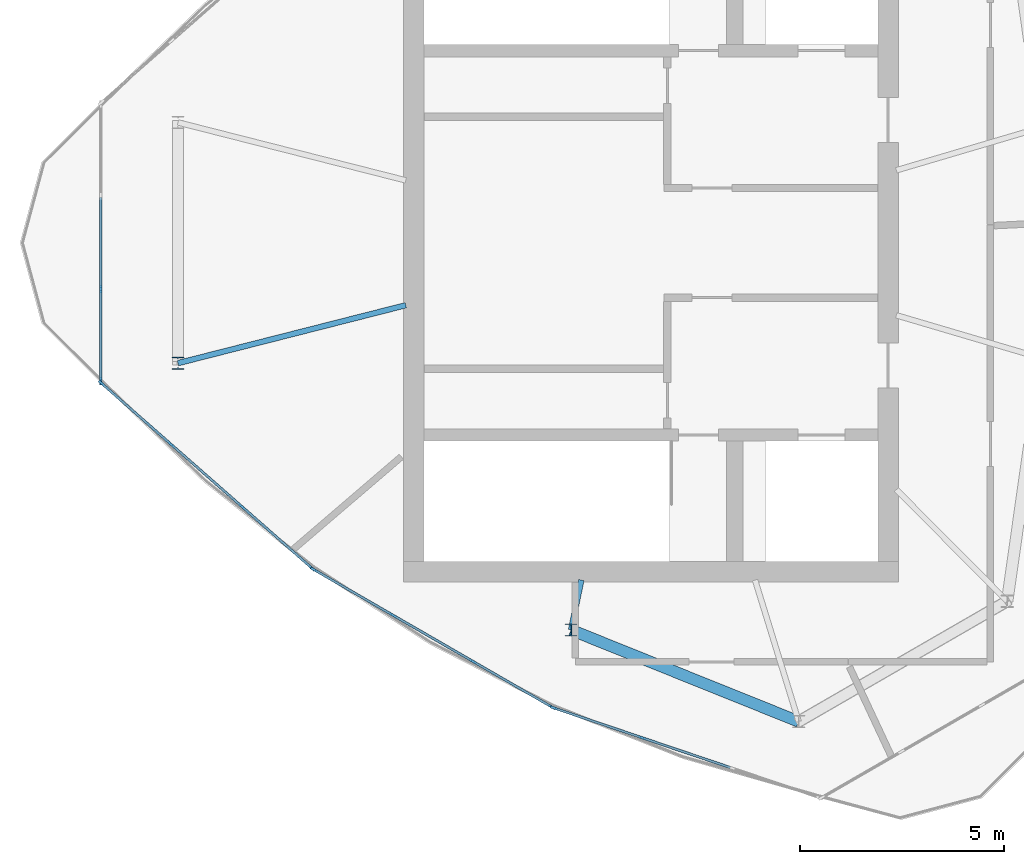
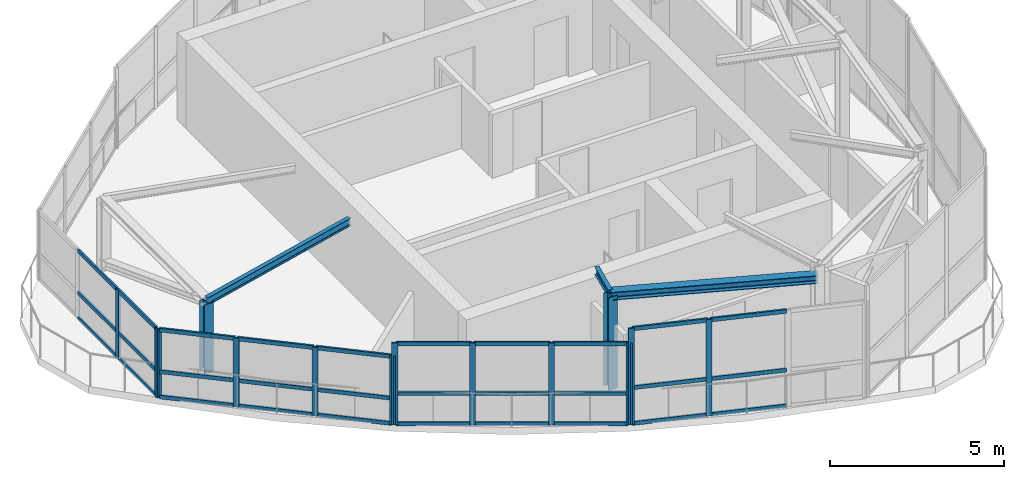
# One storey, part 1 of 9: 47 members, 4 elements without a shape of their own.
"""IFC4 building model written with IfcOpenShell, lengths in metres."""

from ifc_helpers import new_model, si_unit, direction, frame, origin, origin_2d, place, context, subcontext, project, spatial, rectangle, i_section, extrude, source, transform, mapped, material, layer, layer_set, material_profile, profile_set, type_object, element, aggregate, save


model = new_model("IFC4")

# Units and contexts
model_context = context("Model", 3, precision=1e-05, world=origin(), true_north=direction((0.0, 1.0)))
body_context = subcontext(model_context, "Body", "Model", "MODEL_VIEW")
ifc_project = project(units=[si_unit("LENGTHUNIT", "METRE"), si_unit("AREAUNIT", "SQUARE_METRE"), si_unit("VOLUMEUNIT", "CUBIC_METRE"), si_unit("PLANEANGLEUNIT", "RADIAN"), si_unit("MASSUNIT", "GRAM", prefix="KILO")], contexts=[model_context])

# Site, building, storey
site_placement = place(None, origin())
site = spatial("IfcSite", under=ifc_project, at=site_placement, CompositionType="ELEMENT")
building_placement = place(site_placement, origin())
building = spatial("IfcBuilding", under=site, at=building_placement, Name="Qafzar Sky-Pleat Residences", CompositionType="ELEMENT")
storey_placement = place(building_placement, frame((0.0, 0.0, 274.699951171875)))
storey = spatial("IfcBuildingStorey", under=building, at=storey_placement, Name="L81 Crown", CompositionType="ELEMENT", Elevation=274.699951171875)

# Members
ifc_material_1 = material(Name="Steel S355", Category="steel")
ifc_material_profile_1 = material_profile(ifc_material_1, i_section(OverallWidth=0.280029296875, OverallDepth=0.280029296875, WebThickness=0.010498046875, FlangeThickness=0.01806640625, FilletRadius=0.02392578125, at=origin_2d()), Name="HEB 280")
ifc_profile_set_1 = profile_set([ifc_material_profile_1], Name="Steel S355")
member_type_1 = type_object("IfcMemberType", Name="MEM-CROWN-RING", PredefinedType="PURLIN", material=ifc_profile_set_1)
shared_shape_1 = source(origin(), body_context, "Body", "SweptSolid", [
    extrude(i_section(OverallWidth=0.280029296875, OverallDepth=0.280029296875, WebThickness=0.010498046875, FlangeThickness=0.01806640625, FilletRadius=0.02392578125, at=origin_2d()), origin(), (0.0, 0.0, 1.0), 6.00244140625),
])
member_1_placement = place(storey_placement, frame((28.392578125, 16.52978515625, 3.259765625), z_axis=(0.927725846294, -0.373262312747, 0.0), x_axis=(0.373262312747, 0.927725846294, 0.0)))
element("IfcMember", 1, at=member_1_placement, inside=storey, type_object=member_type_1, Name="L81 Crown CROWN FRAME Ring Beam 4", PredefinedType="PURLIN", context=body_context, shape_type="MappedRepresentation", body=[
    mapped(shared_shape_1, transform((0.0, 0.0, 0.0), x_axis=(1.0, 0.0, 0.0), y_axis=(0.0, 1.0, 0.0), z_axis=(0.0, 0.0, 1.0), scale=1.0)),
])
ifc_material_2 = material(Name="Steel S460", Category="steel")
ifc_material_profile_2 = material_profile(ifc_material_2, i_section(OverallWidth=0.300048828125, OverallDepth=0.300048828125, WebThickness=0.010986328125, FlangeThickness=0.01904296875, FilletRadius=0.027099609375, at=origin_2d()), Name="HEB 300")
ifc_profile_set_2 = profile_set([ifc_material_profile_2], Name="Steel S460")
member_type_2 = type_object("IfcMemberType", Name="MEM-CROWN-RIB", PredefinedType="CHORD", material=ifc_profile_set_2)
shared_shape_2 = source(origin(), body_context, "Body", "SweptSolid", [
    extrude(i_section(OverallWidth=0.300048828125, OverallDepth=0.300048828125, WebThickness=0.010986328125, FlangeThickness=0.01904296875, FilletRadius=0.027099609375, at=origin_2d()), origin(), (0.0, 0.0, 1.0), 2.408447265625),
])
member_2_placement = place(storey_placement, frame((18.77783203125, 23.0556640625, 0.0), z_axis=(0.0, 0.0, 1.0), x_axis=(1.0, 0.0, 0.0)))
element("IfcMember", 2, at=member_2_placement, inside=storey, type_object=member_type_2, Name="L81 Crown CROWN FRAME Inclined Rib 2", PredefinedType="CHORD", context=body_context, shape_type="MappedRepresentation", body=[
    mapped(shared_shape_2, transform((0.0, 0.0, 0.0), x_axis=(1.0, 0.0, 0.0), y_axis=(0.0, 1.0, 0.0), z_axis=(0.0, 0.0, 1.0), scale=1.0)),
])
ifc_material_profile_3 = material_profile(ifc_material_1, i_section(OverallWidth=0.135009765625, OverallDepth=0.27001953125, WebThickness=0.006591796875, FlangeThickness=0.01025390625, FilletRadius=0.014892578125, at=origin_2d()), Name="IPE 270")
ifc_profile_set_3 = profile_set([ifc_material_profile_3], Name="Steel S355")
member_type_3 = type_object("IfcMemberType", Name="MEM-CROWN-TRIM", PredefinedType="PURLIN", material=ifc_profile_set_3)
shared_shape_3 = source(origin(), body_context, "Body", "SweptSolid", [
    extrude(i_section(OverallWidth=0.135009765625, OverallDepth=0.27001953125, WebThickness=0.006591796875, FlangeThickness=0.01025390625, FilletRadius=0.014892578125, at=origin_2d()), origin(), (0.0, 0.0, 1.0), 5.749755859375),
])
member_3_placement = place(storey_placement, frame((18.77783203125, 23.0556640625, 2.423583984375), z_axis=(0.969125035515, 0.246569798512, 0.0), x_axis=(-0.246569798512, 0.969125035515, 0.0)))
element("IfcMember", 3, at=member_3_placement, inside=storey, type_object=member_type_3, Name="L81 Crown CROWN FRAME Radial Purlin 2", PredefinedType="PURLIN", context=body_context, shape_type="MappedRepresentation", body=[
    mapped(shared_shape_3, transform((0.0, 0.0, 0.0), x_axis=(1.0, 0.0, 0.0), y_axis=(0.0, 1.0, 0.0), z_axis=(0.0, 0.0, 1.0), scale=1.0)),
])
shared_shape_4 = source(origin(), body_context, "Body", "SweptSolid", [
    extrude(i_section(OverallWidth=0.300048828125, OverallDepth=0.300048828125, WebThickness=0.010986328125, FlangeThickness=0.01904296875, FilletRadius=0.027099609375, at=origin_2d()), origin(), (0.0, 0.0, 1.0), 3.249755859375),
])
member_4_placement = place(storey_placement, frame((28.392578125, 16.52978515625, 0.0), z_axis=(0.0, 0.0, 1.0), x_axis=(1.0, 0.0, 0.0)))
element("IfcMember", 4, at=member_4_placement, inside=storey, type_object=member_type_2, Name="L81 Crown CROWN FRAME Inclined Rib 4", PredefinedType="CHORD", context=body_context, shape_type="MappedRepresentation", body=[
    mapped(shared_shape_4, transform((0.0, 0.0, 0.0), x_axis=(1.0, 0.0, 0.0), y_axis=(0.0, 1.0, 0.0), z_axis=(0.0, 0.0, 1.0), scale=1.0)),
])
shared_shape_5 = source(origin(), body_context, "Body", "SweptSolid", [
    extrude(i_section(OverallWidth=0.135009765625, OverallDepth=0.27001953125, WebThickness=0.006591796875, FlangeThickness=0.01025390625, FilletRadius=0.014892578125, at=origin_2d()), origin(), (0.0, 0.0, 1.0), 1.24609375),
])
member_5_placement = place(storey_placement, frame((28.392578125, 16.52978515625, 3.2646484375), z_axis=(0.202404745782, 0.979301954907, 0.0), x_axis=(-0.979301954907, 0.202404745782, 0.0)))
element("IfcMember", 5, at=member_5_placement, inside=storey, type_object=member_type_3, Name="L81 Crown CROWN FRAME Radial Purlin 4", PredefinedType="PURLIN", context=body_context, shape_type="MappedRepresentation", body=[
    mapped(shared_shape_5, transform((0.0, 0.0, 0.0), x_axis=(1.0, 0.0, 0.0), y_axis=(0.0, 1.0, 0.0), z_axis=(0.0, 0.0, 1.0), scale=1.0)),
])

# Curtain wall, members
ifc_material_3 = material(Name="Anodised bronze aluminium framing", Category="aluminium")
ifc_layer = layer(ifc_material_3, 0.179931640625)
ifc_layer_set = layer_set([ifc_layer], Name="Anodised bronze aluminium framing")
curtain_wall_type = type_object("IfcCurtainWallType", Name="CW-SYS-06", PredefinedType="NOTDEFINED", material=ifc_layer_set)
curtain_wall_1_placement = place(storey_placement, origin())
curtain_wall_1 = element("IfcCurtainWall", 6, at=curtain_wall_1_placement, inside=storey, type_object=curtain_wall_type, Name="L81 Crown CW-06 Curtain Wall CW-CROWN-06-01", PredefinedType="NOTDEFINED")
ifc_material_4 = material(Name="Anodised bronze aluminium", Category="aluminium")
ifc_material_profile_4 = material_profile(ifc_material_4, rectangle(XDim=0.06005859375, YDim=0.179931640625, at=origin_2d()), Name="ALU MULLION 60x180")
ifc_profile_set_4 = profile_set([ifc_material_profile_4], Name="Anodised bronze aluminium")
member_type_4 = type_object("IfcMemberType", Name="CWM-06", PredefinedType="MULLION", material=ifc_profile_set_4)
shared_shape_6 = source(origin(), body_context, "Body", "SweptSolid", [
    extrude(rectangle(XDim=0.06005859375, YDim=0.179931640625, at=origin_2d()), origin(), (0.0, 0.0, 1.0), 2.403076171875),
])
member_6_placement = place(storey_placement, frame((16.885498046875, 24.861572265625, 0.0), z_axis=(0.0, 0.0, 1.0), x_axis=(1.0, 0.0, 0.0)))
member_6 = element("IfcMember", 7, at=member_6_placement, type_object=member_type_4, Name="CW-06 mullion 3", PredefinedType="MULLION", context=body_context, shape_type="MappedRepresentation", body=[
    mapped(shared_shape_6, transform((0.0, 0.0, 0.0), x_axis=(1.0, 0.0, 0.0), y_axis=(0.0, 1.0, 0.0), z_axis=(0.0, 0.0, 1.0), scale=1.0)),
])
member_7_placement = place(storey_placement, frame((16.885498046875, 22.614501953125, 0.0), z_axis=(0.0, 0.0, 1.0), x_axis=(1.0, 0.0, 0.0)))
member_7 = element("IfcMember", 8, at=member_7_placement, type_object=member_type_4, Name="CW-06 mullion 4", PredefinedType="MULLION", context=body_context, shape_type="MappedRepresentation", body=[
    mapped(shared_shape_6, transform((0.0, 0.0, 0.0), x_axis=(1.0, 0.0, 0.0), y_axis=(0.0, 1.0, 0.0), z_axis=(0.0, 0.0, 1.0), scale=1.0)),
])

curtain_wall_2_placement = place(storey_placement, origin())
curtain_wall_2 = element("IfcCurtainWall", 9, at=curtain_wall_2_placement, inside=storey, type_object=curtain_wall_type, Name="L81 Crown CW-06 Curtain Wall CW-CROWN-06-02", PredefinedType="NOTDEFINED")
member_8_placement = place(storey_placement, frame((16.908203125, 22.564697265625, 0.0), z_axis=(0.0, 0.0, 1.0), x_axis=(0.660137360136, 0.7511449033, 0.0)))
member_8 = element("IfcMember", 10, at=member_8_placement, type_object=member_type_4, Name="CW-06 mullion 1", PredefinedType="MULLION", context=body_context, shape_type="MappedRepresentation", body=[
    mapped(shared_shape_6, transform((0.0, 0.0, 0.0), x_axis=(1.0, 0.0, 0.0), y_axis=(0.0, 1.0, 0.0), z_axis=(0.0, 0.0, 1.0), scale=1.0)),
])
member_9_placement = place(storey_placement, frame((18.61669921875, 21.06298828125, 0.0), z_axis=(0.0, 0.0, 1.0), x_axis=(0.660137360136, 0.7511449033, 0.0)))
member_9 = element("IfcMember", 11, at=member_9_placement, type_object=member_type_4, Name="CW-06 mullion 2", PredefinedType="MULLION", context=body_context, shape_type="MappedRepresentation", body=[
    mapped(shared_shape_6, transform((0.0, 0.0, 0.0), x_axis=(1.0, 0.0, 0.0), y_axis=(0.0, 1.0, 0.0), z_axis=(0.0, 0.0, 1.0), scale=1.0)),
])
member_10_placement = place(storey_placement, frame((20.34765625, 19.541748046875, 0.0), z_axis=(0.0, 0.0, 1.0), x_axis=(0.660137360136, 0.7511449033, 0.0)))
member_10 = element("IfcMember", 12, at=member_10_placement, type_object=member_type_4, Name="CW-06 mullion 3", PredefinedType="MULLION", context=body_context, shape_type="MappedRepresentation", body=[
    mapped(shared_shape_6, transform((0.0, 0.0, 0.0), x_axis=(1.0, 0.0, 0.0), y_axis=(0.0, 1.0, 0.0), z_axis=(0.0, 0.0, 1.0), scale=1.0)),
])
member_11_placement = place(storey_placement, frame((22.05615234375, 18.040283203125, 0.0), z_axis=(0.0, 0.0, 1.0), x_axis=(0.660137360136, 0.7511449033, 0.0)))
member_11 = element("IfcMember", 13, at=member_11_placement, type_object=member_type_4, Name="CW-06 mullion 4", PredefinedType="MULLION", context=body_context, shape_type="MappedRepresentation", body=[
    mapped(shared_shape_6, transform((0.0, 0.0, 0.0), x_axis=(1.0, 0.0, 0.0), y_axis=(0.0, 1.0, 0.0), z_axis=(0.0, 0.0, 1.0), scale=1.0)),
])

# Member
ifc_material_profile_5 = material_profile(ifc_material_4, rectangle(XDim=0.06005859375, YDim=0.135009765625, at=origin_2d()), Name="ALU TRANSOM 60x135")
ifc_profile_set_5 = profile_set([ifc_material_profile_5], Name="Anodised bronze aluminium")
member_type_5 = type_object("IfcMemberType", Name="CWT-06", PredefinedType="USERDEFINED", material=ifc_profile_set_5)
shared_shape_7 = source(origin(), body_context, "Body", "SweptSolid", [
    extrude(rectangle(XDim=0.06005859375, YDim=0.135009765625, at=origin_2d()), origin(), (0.0, 0.0, 1.0), 2.187255859375),
])
member_12_placement = place(storey_placement, frame((16.885498046875, 24.83154296875, 0.030029296875), z_axis=(0.0, -1.0, 0.0), x_axis=(1.0, 0.0, 0.0)))
member_12 = element("IfcMember", 14, at=member_12_placement, type_object=member_type_5, Name="CW-06 transom 3.1", ObjectType="TRANSOM", PredefinedType="USERDEFINED", context=body_context, shape_type="MappedRepresentation", body=[
    mapped(shared_shape_7, transform((0.0, 0.0, 0.0), x_axis=(1.0, 0.0, 0.0), y_axis=(0.0, 1.0, 0.0), z_axis=(0.0, 0.0, 1.0), scale=1.0)),
])

member_13_placement = place(storey_placement, frame((16.885498046875, 24.83154296875, 0.9130859375), z_axis=(0.0, -1.0, 0.0), x_axis=(1.0, 0.0, 0.0)))
member_13 = element("IfcMember", 15, at=member_13_placement, type_object=member_type_5, Name="CW-06 transom 3.2", ObjectType="TRANSOM", PredefinedType="USERDEFINED", context=body_context, shape_type="MappedRepresentation", body=[
    mapped(shared_shape_7, transform((0.0, 0.0, 0.0), x_axis=(1.0, 0.0, 0.0), y_axis=(0.0, 1.0, 0.0), z_axis=(0.0, 0.0, 1.0), scale=1.0)),
])

member_14_placement = place(storey_placement, frame((16.885498046875, 24.83154296875, 2.373046875), z_axis=(0.0, -1.0, 0.0), x_axis=(1.0, 0.0, 0.0)))
member_14 = element("IfcMember", 16, at=member_14_placement, type_object=member_type_5, Name="CW-06 transom 3.3", ObjectType="TRANSOM", PredefinedType="USERDEFINED", context=body_context, shape_type="MappedRepresentation", body=[
    mapped(shared_shape_7, transform((0.0, 0.0, 0.0), x_axis=(1.0, 0.0, 0.0), y_axis=(0.0, 1.0, 0.0), z_axis=(0.0, 0.0, 1.0), scale=1.0)),
])

shared_shape_8 = source(origin(), body_context, "Body", "SweptSolid", [
    extrude(rectangle(XDim=0.06005859375, YDim=0.135009765625, at=origin_2d()), origin(), (0.0, 0.0, 1.0), 2.21728515625),
])
member_15_placement = place(storey_placement, frame((16.885498046875, 27.108642578125, 0.030029296875), z_axis=(0.0, -1.0, 0.0), x_axis=(1.0, 0.0, 0.0)))
member_15 = element("IfcMember", 17, at=member_15_placement, type_object=member_type_5, Name="CW-06 transom 2.1", ObjectType="TRANSOM", PredefinedType="USERDEFINED", context=body_context, shape_type="MappedRepresentation", body=[
    mapped(shared_shape_8, transform((0.0, 0.0, 0.0), x_axis=(1.0, 0.0, 0.0), y_axis=(0.0, 1.0, 0.0), z_axis=(0.0, 0.0, 1.0), scale=1.0)),
])

member_16_placement = place(storey_placement, frame((16.885498046875, 27.108642578125, 0.9130859375), z_axis=(0.0, -1.0, 0.0), x_axis=(1.0, 0.0, 0.0)))
member_16 = element("IfcMember", 18, at=member_16_placement, type_object=member_type_5, Name="CW-06 transom 2.2", ObjectType="TRANSOM", PredefinedType="USERDEFINED", context=body_context, shape_type="MappedRepresentation", body=[
    mapped(shared_shape_8, transform((0.0, 0.0, 0.0), x_axis=(1.0, 0.0, 0.0), y_axis=(0.0, 1.0, 0.0), z_axis=(0.0, 0.0, 1.0), scale=1.0)),
])

member_17_placement = place(storey_placement, frame((16.885498046875, 27.108642578125, 2.373046875), z_axis=(0.0, -1.0, 0.0), x_axis=(1.0, 0.0, 0.0)))
member_17 = element("IfcMember", 19, at=member_17_placement, type_object=member_type_5, Name="CW-06 transom 2.3", ObjectType="TRANSOM", PredefinedType="USERDEFINED", context=body_context, shape_type="MappedRepresentation", body=[
    mapped(shared_shape_8, transform((0.0, 0.0, 0.0), x_axis=(1.0, 0.0, 0.0), y_axis=(0.0, 1.0, 0.0), z_axis=(0.0, 0.0, 1.0), scale=1.0)),
])

aggregate(curtain_wall_1, [member_6, member_7, member_15, member_16, member_17, member_12, member_13, member_14])

shared_shape_9 = source(origin(), body_context, "Body", "SweptSolid", [
    extrude(rectangle(XDim=0.06005859375, YDim=0.135009765625, at=origin_2d()), origin(), (0.0, 0.0, 1.0), 2.214599609375),
])
member_18_placement = place(storey_placement, frame((16.9306640625, 22.544677734375, 0.030029296875), z_axis=(0.751168211321, -0.660110837891, 0.0), x_axis=(0.660110837891, 0.751168211321, 0.0)))
member_18 = element("IfcMember", 20, at=member_18_placement, type_object=member_type_5, Name="CW-06 transom 1.1", ObjectType="TRANSOM", PredefinedType="USERDEFINED", context=body_context, shape_type="MappedRepresentation", body=[
    mapped(shared_shape_9, transform((0.0, 0.0, 0.0), x_axis=(1.0, 0.0, 0.0), y_axis=(0.0, 1.0, 0.0), z_axis=(0.0, 0.0, 1.0), scale=1.0)),
])

member_19_placement = place(storey_placement, frame((16.9306640625, 22.544677734375, 0.9130859375), z_axis=(0.751168211321, -0.660110837891, 0.0), x_axis=(0.660110837891, 0.751168211321, 0.0)))
member_19 = element("IfcMember", 21, at=member_19_placement, type_object=member_type_5, Name="CW-06 transom 1.2", ObjectType="TRANSOM", PredefinedType="USERDEFINED", context=body_context, shape_type="MappedRepresentation", body=[
    mapped(shared_shape_9, transform((0.0, 0.0, 0.0), x_axis=(1.0, 0.0, 0.0), y_axis=(0.0, 1.0, 0.0), z_axis=(0.0, 0.0, 1.0), scale=1.0)),
])

member_20_placement = place(storey_placement, frame((16.9306640625, 22.544677734375, 2.373046875), z_axis=(0.751168211321, -0.660110837891, 0.0), x_axis=(0.660110837891, 0.751168211321, 0.0)))
member_20 = element("IfcMember", 22, at=member_20_placement, type_object=member_type_5, Name="CW-06 transom 1.3", ObjectType="TRANSOM", PredefinedType="USERDEFINED", context=body_context, shape_type="MappedRepresentation", body=[
    mapped(shared_shape_9, transform((0.0, 0.0, 0.0), x_axis=(1.0, 0.0, 0.0), y_axis=(0.0, 1.0, 0.0), z_axis=(0.0, 0.0, 1.0), scale=1.0)),
])

# Curtain wall, members
curtain_wall_3_placement = place(storey_placement, origin())
curtain_wall_3 = element("IfcCurtainWall", 23, at=curtain_wall_3_placement, inside=storey, type_object=curtain_wall_type, Name="L81 Crown CW-06 Curtain Wall CW-CROWN-06-04", PredefinedType="NOTDEFINED")
member_21_placement = place(storey_placement, frame((28.0068359375, 14.611572265625, 0.030029296875), z_axis=(0.947262825794, -0.320457702151, 0.0), x_axis=(0.320457702151, 0.947262825794, 0.0)))
member_21 = element("IfcMember", 24, at=member_21_placement, type_object=member_type_5, Name="CW-06 transom 1.1", ObjectType="TRANSOM", PredefinedType="USERDEFINED", context=body_context, shape_type="MappedRepresentation", body=[
    mapped(shared_shape_9, transform((0.0, 0.0, 0.0), x_axis=(1.0, 0.0, 0.0), y_axis=(0.0, 1.0, 0.0), z_axis=(0.0, 0.0, 1.0), scale=1.0)),
])
member_22_placement = place(storey_placement, frame((28.0068359375, 14.611572265625, 1.281005859375), z_axis=(0.947262825794, -0.320457702151, 0.0), x_axis=(0.320457702151, 0.947262825794, 0.0)))
member_22 = element("IfcMember", 25, at=member_22_placement, type_object=member_type_5, Name="CW-06 transom 1.2", ObjectType="TRANSOM", PredefinedType="USERDEFINED", context=body_context, shape_type="MappedRepresentation", body=[
    mapped(shared_shape_9, transform((0.0, 0.0, 0.0), x_axis=(1.0, 0.0, 0.0), y_axis=(0.0, 1.0, 0.0), z_axis=(0.0, 0.0, 1.0), scale=1.0)),
])
member_23_placement = place(storey_placement, frame((28.0068359375, 14.611572265625, 3.341064453125), z_axis=(0.947262825794, -0.320457702151, 0.0), x_axis=(0.320457702151, 0.947262825794, 0.0)))
member_23 = element("IfcMember", 26, at=member_23_placement, type_object=member_type_5, Name="CW-06 transom 1.3", ObjectType="TRANSOM", PredefinedType="USERDEFINED", context=body_context, shape_type="MappedRepresentation", body=[
    mapped(shared_shape_9, transform((0.0, 0.0, 0.0), x_axis=(1.0, 0.0, 0.0), y_axis=(0.0, 1.0, 0.0), z_axis=(0.0, 0.0, 1.0), scale=1.0)),
])

# Member
shared_shape_10 = source(origin(), body_context, "Body", "SweptSolid", [
    extrude(rectangle(XDim=0.06005859375, YDim=0.135009765625, at=origin_2d()), origin(), (0.0, 0.0, 1.0), 2.24462890625),
])
member_24_placement = place(storey_placement, frame((18.63916015625, 21.043212890625, 0.030029296875), z_axis=(0.751159995362, -0.660120187062, 0.0), x_axis=(0.660120187062, 0.751159995362, 0.0)))
member_24 = element("IfcMember", 27, at=member_24_placement, type_object=member_type_5, Name="CW-06 transom 2.1", ObjectType="TRANSOM", PredefinedType="USERDEFINED", context=body_context, shape_type="MappedRepresentation", body=[
    mapped(shared_shape_10, transform((0.0, 0.0, 0.0), x_axis=(1.0, 0.0, 0.0), y_axis=(0.0, 1.0, 0.0), z_axis=(0.0, 0.0, 1.0), scale=1.0)),
])

member_25_placement = place(storey_placement, frame((18.63916015625, 21.043212890625, 0.9130859375), z_axis=(0.751159995362, -0.660120187062, 0.0), x_axis=(0.660120187062, 0.751159995362, 0.0)))
member_25 = element("IfcMember", 28, at=member_25_placement, type_object=member_type_5, Name="CW-06 transom 2.2", ObjectType="TRANSOM", PredefinedType="USERDEFINED", context=body_context, shape_type="MappedRepresentation", body=[
    mapped(shared_shape_10, transform((0.0, 0.0, 0.0), x_axis=(1.0, 0.0, 0.0), y_axis=(0.0, 1.0, 0.0), z_axis=(0.0, 0.0, 1.0), scale=1.0)),
])

member_26_placement = place(storey_placement, frame((18.63916015625, 21.043212890625, 2.373046875), z_axis=(0.751159995362, -0.660120187062, 0.0), x_axis=(0.660120187062, 0.751159995362, 0.0)))
member_26 = element("IfcMember", 29, at=member_26_placement, type_object=member_type_5, Name="CW-06 transom 2.3", ObjectType="TRANSOM", PredefinedType="USERDEFINED", context=body_context, shape_type="MappedRepresentation", body=[
    mapped(shared_shape_10, transform((0.0, 0.0, 0.0), x_axis=(1.0, 0.0, 0.0), y_axis=(0.0, 1.0, 0.0), z_axis=(0.0, 0.0, 1.0), scale=1.0)),
])

member_27_placement = place(storey_placement, frame((30.161376953125, 13.882568359375, 0.030029296875), z_axis=(0.947270836897, -0.320434020611, 0.0), x_axis=(0.320434020611, 0.947270836897, 0.0)))
member_27 = element("IfcMember", 30, at=member_27_placement, type_object=member_type_5, Name="CW-06 transom 2.1", ObjectType="TRANSOM", PredefinedType="USERDEFINED", context=body_context, shape_type="MappedRepresentation", body=[
    mapped(shared_shape_10, transform((0.0, 0.0, 0.0), x_axis=(1.0, 0.0, 0.0), y_axis=(0.0, 1.0, 0.0), z_axis=(0.0, 0.0, 1.0), scale=1.0)),
])

member_28_placement = place(storey_placement, frame((30.161376953125, 13.882568359375, 1.281005859375), z_axis=(0.947270836897, -0.320434020611, 0.0), x_axis=(0.320434020611, 0.947270836897, 0.0)))
member_28 = element("IfcMember", 31, at=member_28_placement, type_object=member_type_5, Name="CW-06 transom 2.2", ObjectType="TRANSOM", PredefinedType="USERDEFINED", context=body_context, shape_type="MappedRepresentation", body=[
    mapped(shared_shape_10, transform((0.0, 0.0, 0.0), x_axis=(1.0, 0.0, 0.0), y_axis=(0.0, 1.0, 0.0), z_axis=(0.0, 0.0, 1.0), scale=1.0)),
])

member_29_placement = place(storey_placement, frame((30.161376953125, 13.882568359375, 3.341064453125), z_axis=(0.947270836897, -0.320434020611, 0.0), x_axis=(0.320434020611, 0.947270836897, 0.0)))
member_29 = element("IfcMember", 32, at=member_29_placement, type_object=member_type_5, Name="CW-06 transom 2.3", ObjectType="TRANSOM", PredefinedType="USERDEFINED", context=body_context, shape_type="MappedRepresentation", body=[
    mapped(shared_shape_10, transform((0.0, 0.0, 0.0), x_axis=(1.0, 0.0, 0.0), y_axis=(0.0, 1.0, 0.0), z_axis=(0.0, 0.0, 1.0), scale=1.0)),
])

shared_shape_11 = source(origin(), body_context, "Body", "SweptSolid", [
    extrude(rectangle(XDim=0.06005859375, YDim=0.135009765625, at=origin_2d()), origin(), (0.0, 0.0, 1.0), 2.21435546875),
])
member_30_placement = place(storey_placement, frame((20.370361328125, 19.52197265625, 0.030029296875), z_axis=(0.751120169137, -0.660165503125, 0.0), x_axis=(0.660165503125, 0.751120169137, 0.0)))
member_30 = element("IfcMember", 33, at=member_30_placement, type_object=member_type_5, Name="CW-06 transom 3.1", ObjectType="TRANSOM", PredefinedType="USERDEFINED", context=body_context, shape_type="MappedRepresentation", body=[
    mapped(shared_shape_11, transform((0.0, 0.0, 0.0), x_axis=(1.0, 0.0, 0.0), y_axis=(0.0, 1.0, 0.0), z_axis=(0.0, 0.0, 1.0), scale=1.0)),
])

member_31_placement = place(storey_placement, frame((20.370361328125, 19.52197265625, 0.9130859375), z_axis=(0.751120169137, -0.660165503125, 0.0), x_axis=(0.660165503125, 0.751120169137, 0.0)))
member_31 = element("IfcMember", 34, at=member_31_placement, type_object=member_type_5, Name="CW-06 transom 3.2", ObjectType="TRANSOM", PredefinedType="USERDEFINED", context=body_context, shape_type="MappedRepresentation", body=[
    mapped(shared_shape_11, transform((0.0, 0.0, 0.0), x_axis=(1.0, 0.0, 0.0), y_axis=(0.0, 1.0, 0.0), z_axis=(0.0, 0.0, 1.0), scale=1.0)),
])

member_32_placement = place(storey_placement, frame((20.370361328125, 19.52197265625, 2.373046875), z_axis=(0.751120169137, -0.660165503125, 0.0), x_axis=(0.660165503125, 0.751120169137, 0.0)))
member_32 = element("IfcMember", 35, at=member_32_placement, type_object=member_type_5, Name="CW-06 transom 3.3", ObjectType="TRANSOM", PredefinedType="USERDEFINED", context=body_context, shape_type="MappedRepresentation", body=[
    mapped(shared_shape_11, transform((0.0, 0.0, 0.0), x_axis=(1.0, 0.0, 0.0), y_axis=(0.0, 1.0, 0.0), z_axis=(0.0, 0.0, 1.0), scale=1.0)),
])

aggregate(curtain_wall_2, [member_8, member_9, member_10, member_11, member_18, member_19, member_20, member_24, member_25, member_26, member_30, member_31, member_32])

# Curtain wall, members
curtain_wall_4_placement = place(storey_placement, origin())
curtain_wall_4 = element("IfcCurtainWall", 36, at=curtain_wall_4_placement, inside=storey, type_object=curtain_wall_type, Name="L81 Crown CW-06 Curtain Wall CW-CROWN-06-03", PredefinedType="NOTDEFINED")
shared_shape_12 = source(origin(), body_context, "Body", "SweptSolid", [
    extrude(rectangle(XDim=0.06005859375, YDim=0.179931640625, at=origin_2d()), origin(), (0.0, 0.0, 1.0), 2.857421875),
])
member_33_placement = place(storey_placement, frame((22.104736328125, 18.00537109375, 0.0), z_axis=(0.0, 0.0, 1.0), x_axis=(0.499995696498, 0.866027888398, 0.0)))
member_33 = element("IfcMember", 37, at=member_33_placement, type_object=member_type_4, Name="CW-06 mullion 1", PredefinedType="MULLION", context=body_context, shape_type="MappedRepresentation", body=[
    mapped(shared_shape_12, transform((0.0, 0.0, 0.0), x_axis=(1.0, 0.0, 0.0), y_axis=(0.0, 1.0, 0.0), z_axis=(0.0, 0.0, 1.0), scale=1.0)),
])
member_34_placement = place(storey_placement, frame((24.035888671875, 16.890380859375, 0.0), z_axis=(0.0, 0.0, 1.0), x_axis=(0.499995696498, 0.866027888398, 0.0)))
member_34 = element("IfcMember", 38, at=member_34_placement, type_object=member_type_4, Name="CW-06 mullion 2", PredefinedType="MULLION", context=body_context, shape_type="MappedRepresentation", body=[
    mapped(shared_shape_12, transform((0.0, 0.0, 0.0), x_axis=(1.0, 0.0, 0.0), y_axis=(0.0, 1.0, 0.0), z_axis=(0.0, 0.0, 1.0), scale=1.0)),
])
member_35_placement = place(storey_placement, frame((25.992919921875, 15.760498046875, 0.0), z_axis=(0.0, 0.0, 1.0), x_axis=(0.499995696498, 0.866027888398, 0.0)))
member_35 = element("IfcMember", 39, at=member_35_placement, type_object=member_type_4, Name="CW-06 mullion 3", PredefinedType="MULLION", context=body_context, shape_type="MappedRepresentation", body=[
    mapped(shared_shape_12, transform((0.0, 0.0, 0.0), x_axis=(1.0, 0.0, 0.0), y_axis=(0.0, 1.0, 0.0), z_axis=(0.0, 0.0, 1.0), scale=1.0)),
])
member_36_placement = place(storey_placement, frame((27.924072265625, 14.645751953125, 0.0), z_axis=(0.0, 0.0, 1.0), x_axis=(0.499995696498, 0.866027888398, 0.0)))
member_36 = element("IfcMember", 40, at=member_36_placement, type_object=member_type_4, Name="CW-06 mullion 4", PredefinedType="MULLION", context=body_context, shape_type="MappedRepresentation", body=[
    mapped(shared_shape_12, transform((0.0, 0.0, 0.0), x_axis=(1.0, 0.0, 0.0), y_axis=(0.0, 1.0, 0.0), z_axis=(0.0, 0.0, 1.0), scale=1.0)),
])
shared_shape_13 = source(origin(), body_context, "Body", "SweptSolid", [
    extrude(rectangle(XDim=0.06005859375, YDim=0.135009765625, at=origin_2d()), origin(), (0.0, 0.0, 1.0), 2.169677734375),
])
member_37_placement = place(storey_placement, frame((22.130859375, 17.990478515625, 0.030029296875), z_axis=(0.865990693744, -0.500060114735, 0.0), x_axis=(0.500060114735, 0.865990693744, 0.0)))
member_37 = element("IfcMember", 41, at=member_37_placement, type_object=member_type_5, Name="CW-06 transom 1.1", ObjectType="TRANSOM", PredefinedType="USERDEFINED", context=body_context, shape_type="MappedRepresentation", body=[
    mapped(shared_shape_13, transform((0.0, 0.0, 0.0), x_axis=(1.0, 0.0, 0.0), y_axis=(0.0, 1.0, 0.0), z_axis=(0.0, 0.0, 1.0), scale=1.0)),
])
member_38_placement = place(storey_placement, frame((22.130859375, 17.990478515625, 1.0859375), z_axis=(0.865990693744, -0.500060114735, 0.0), x_axis=(0.500060114735, 0.865990693744, 0.0)))
member_38 = element("IfcMember", 42, at=member_38_placement, type_object=member_type_5, Name="CW-06 transom 1.2", ObjectType="TRANSOM", PredefinedType="USERDEFINED", context=body_context, shape_type="MappedRepresentation", body=[
    mapped(shared_shape_13, transform((0.0, 0.0, 0.0), x_axis=(1.0, 0.0, 0.0), y_axis=(0.0, 1.0, 0.0), z_axis=(0.0, 0.0, 1.0), scale=1.0)),
])
member_39_placement = place(storey_placement, frame((22.130859375, 17.990478515625, 2.827392578125), z_axis=(0.865990693744, -0.500060114735, 0.0), x_axis=(0.500060114735, 0.865990693744, 0.0)))
member_39 = element("IfcMember", 43, at=member_39_placement, type_object=member_type_5, Name="CW-06 transom 1.3", ObjectType="TRANSOM", PredefinedType="USERDEFINED", context=body_context, shape_type="MappedRepresentation", body=[
    mapped(shared_shape_13, transform((0.0, 0.0, 0.0), x_axis=(1.0, 0.0, 0.0), y_axis=(0.0, 1.0, 0.0), z_axis=(0.0, 0.0, 1.0), scale=1.0)),
])
shared_shape_14 = source(origin(), body_context, "Body", "SweptSolid", [
    extrude(rectangle(XDim=0.06005859375, YDim=0.135009765625, at=origin_2d()), origin(), (0.0, 0.0, 1.0), 2.199951171875),
])
member_40_placement = place(storey_placement, frame((24.061767578125, 16.87548828125, 0.030029296875), z_axis=(0.86605622881, -0.499946605688, 0.0), x_axis=(0.499946605688, 0.86605622881, 0.0)))
member_40 = element("IfcMember", 44, at=member_40_placement, type_object=member_type_5, Name="CW-06 transom 2.1", ObjectType="TRANSOM", PredefinedType="USERDEFINED", context=body_context, shape_type="MappedRepresentation", body=[
    mapped(shared_shape_14, transform((0.0, 0.0, 0.0), x_axis=(1.0, 0.0, 0.0), y_axis=(0.0, 1.0, 0.0), z_axis=(0.0, 0.0, 1.0), scale=1.0)),
])
member_41_placement = place(storey_placement, frame((24.061767578125, 16.87548828125, 1.0859375), z_axis=(0.86605622881, -0.499946605688, 0.0), x_axis=(0.499946605688, 0.86605622881, 0.0)))
member_41 = element("IfcMember", 45, at=member_41_placement, type_object=member_type_5, Name="CW-06 transom 2.2", ObjectType="TRANSOM", PredefinedType="USERDEFINED", context=body_context, shape_type="MappedRepresentation", body=[
    mapped(shared_shape_14, transform((0.0, 0.0, 0.0), x_axis=(1.0, 0.0, 0.0), y_axis=(0.0, 1.0, 0.0), z_axis=(0.0, 0.0, 1.0), scale=1.0)),
])
member_42_placement = place(storey_placement, frame((24.061767578125, 16.87548828125, 2.827392578125), z_axis=(0.86605622881, -0.499946605688, 0.0), x_axis=(0.499946605688, 0.86605622881, 0.0)))
member_42 = element("IfcMember", 46, at=member_42_placement, type_object=member_type_5, Name="CW-06 transom 2.3", ObjectType="TRANSOM", PredefinedType="USERDEFINED", context=body_context, shape_type="MappedRepresentation", body=[
    mapped(shared_shape_14, transform((0.0, 0.0, 0.0), x_axis=(1.0, 0.0, 0.0), y_axis=(0.0, 1.0, 0.0), z_axis=(0.0, 0.0, 1.0), scale=1.0)),
])
shared_shape_15 = source(origin(), body_context, "Body", "SweptSolid", [
    extrude(rectangle(XDim=0.06005859375, YDim=0.135009765625, at=origin_2d()), origin(), (0.0, 0.0, 1.0), 2.169921875),
])
member_43_placement = place(storey_placement, frame((26.018798828125, 15.74560546875, 0.030029296875), z_axis=(0.866018827591, -0.500011390128, 0.0), x_axis=(0.500011390128, 0.866018827591, 0.0)))
member_43 = element("IfcMember", 47, at=member_43_placement, type_object=member_type_5, Name="CW-06 transom 3.1", ObjectType="TRANSOM", PredefinedType="USERDEFINED", context=body_context, shape_type="MappedRepresentation", body=[
    mapped(shared_shape_15, transform((0.0, 0.0, 0.0), x_axis=(1.0, 0.0, 0.0), y_axis=(0.0, 1.0, 0.0), z_axis=(0.0, 0.0, 1.0), scale=1.0)),
])
member_44_placement = place(storey_placement, frame((26.018798828125, 15.74560546875, 1.0859375), z_axis=(0.866018827591, -0.500011390128, 0.0), x_axis=(0.500011390128, 0.866018827591, 0.0)))
member_44 = element("IfcMember", 48, at=member_44_placement, type_object=member_type_5, Name="CW-06 transom 3.2", ObjectType="TRANSOM", PredefinedType="USERDEFINED", context=body_context, shape_type="MappedRepresentation", body=[
    mapped(shared_shape_15, transform((0.0, 0.0, 0.0), x_axis=(1.0, 0.0, 0.0), y_axis=(0.0, 1.0, 0.0), z_axis=(0.0, 0.0, 1.0), scale=1.0)),
])
member_45_placement = place(storey_placement, frame((26.018798828125, 15.74560546875, 2.827392578125), z_axis=(0.866018827591, -0.500011390128, 0.0), x_axis=(0.500011390128, 0.866018827591, 0.0)))
member_45 = element("IfcMember", 49, at=member_45_placement, type_object=member_type_5, Name="CW-06 transom 3.3", ObjectType="TRANSOM", PredefinedType="USERDEFINED", context=body_context, shape_type="MappedRepresentation", body=[
    mapped(shared_shape_15, transform((0.0, 0.0, 0.0), x_axis=(1.0, 0.0, 0.0), y_axis=(0.0, 1.0, 0.0), z_axis=(0.0, 0.0, 1.0), scale=1.0)),
])
aggregate(curtain_wall_4, [member_33, member_34, member_35, member_36, member_37, member_38, member_39, member_40, member_41, member_42, member_43, member_44, member_45])

# Member
shared_shape_16 = source(origin(), body_context, "Body", "SweptSolid", [
    extrude(rectangle(XDim=0.06005859375, YDim=0.179931640625, at=origin_2d()), origin(), (0.0, 0.0, 1.0), 3.37109375),
])
member_46_placement = place(storey_placement, frame((27.978515625, 14.62109375, 0.0), z_axis=(0.0, 0.0, 1.0), x_axis=(0.320459611229, 0.947262179954, 0.0)))
member_46 = element("IfcMember", 50, at=member_46_placement, type_object=member_type_4, Name="CW-06 mullion 1", PredefinedType="MULLION", context=body_context, shape_type="MappedRepresentation", body=[
    mapped(shared_shape_16, transform((0.0, 0.0, 0.0), x_axis=(1.0, 0.0, 0.0), y_axis=(0.0, 1.0, 0.0), z_axis=(0.0, 0.0, 1.0), scale=1.0)),
])

member_47_placement = place(storey_placement, frame((30.133056640625, 13.89208984375, 0.0), z_axis=(0.0, 0.0, 1.0), x_axis=(0.320459611229, 0.947262179954, 0.0)))
member_47 = element("IfcMember", 51, at=member_47_placement, type_object=member_type_4, Name="CW-06 mullion 2", PredefinedType="MULLION", context=body_context, shape_type="MappedRepresentation", body=[
    mapped(shared_shape_16, transform((0.0, 0.0, 0.0), x_axis=(1.0, 0.0, 0.0), y_axis=(0.0, 1.0, 0.0), z_axis=(0.0, 0.0, 1.0), scale=1.0)),
])

aggregate(curtain_wall_3, [member_46, member_47, member_21, member_22, member_23, member_27, member_28, member_29])

save(model, "model.ifc")
